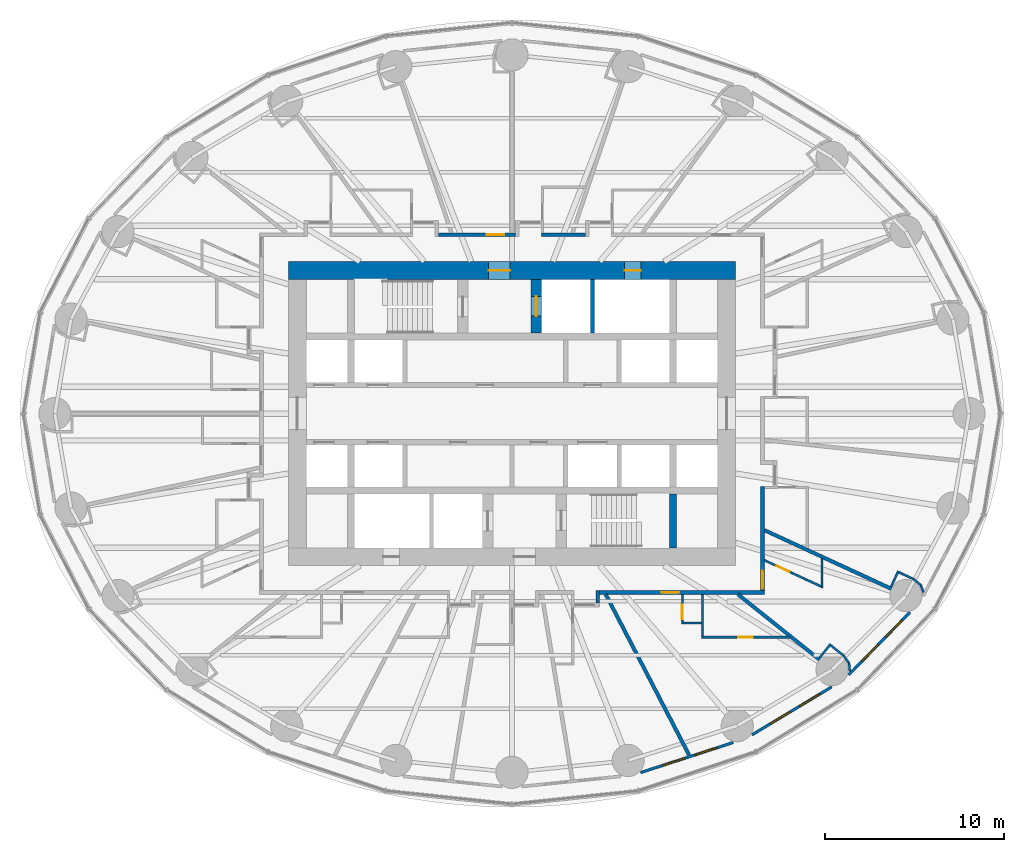
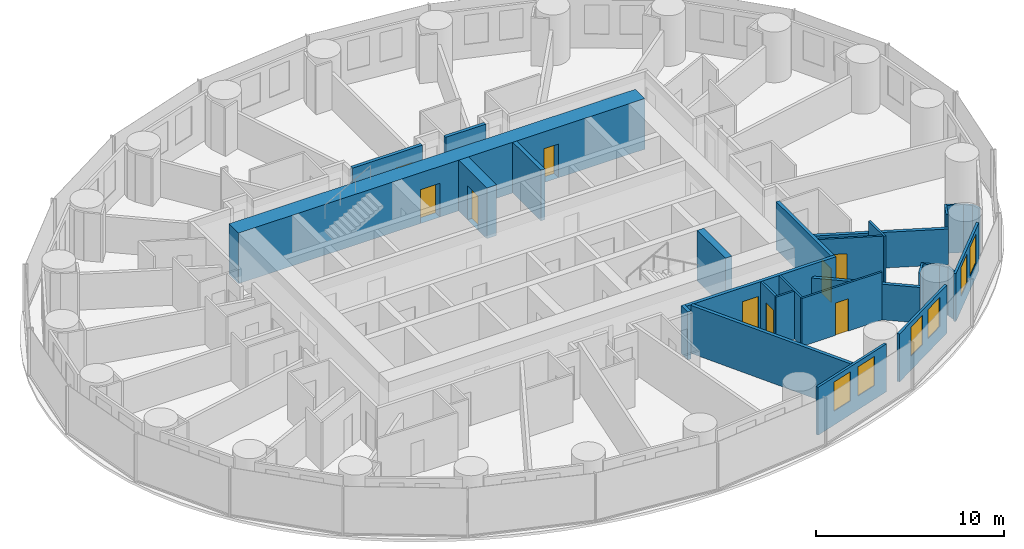
# One storey, part 9 of 14: 29 walls, 9 doors, 6 windows, 15 openings.
"""IFC4 building model written with IfcOpenShell, lengths in metres."""

from ifc_helpers import new_model, si_unit, direction, frame, frame_2d, origin, place, context, subcontext, project, spatial, rectangle, extrude, material, layer, layer_set, type_object, element, fill, save


model = new_model("IFC4")

# Units and contexts
model_context = context("Model", 3, precision=1e-05, world=origin(), true_north=direction((0.0, 1.0)))
body_context = subcontext(model_context, "Body", "Model", "MODEL_VIEW")
ifc_project = project(units=[si_unit("LENGTHUNIT", "METRE"), si_unit("AREAUNIT", "SQUARE_METRE"), si_unit("VOLUMEUNIT", "CUBIC_METRE"), si_unit("PLANEANGLEUNIT", "RADIAN"), si_unit("MASSUNIT", "GRAM", prefix="KILO")], contexts=[model_context])

# Site, building, storey
site_placement = place(None, origin())
site = spatial("IfcSite", under=ifc_project, at=site_placement, CompositionType="ELEMENT")
building_placement = place(site_placement, origin())
building = spatial("IfcBuilding", under=site, at=building_placement, Name="Hankou Lantern Tower", CompositionType="ELEMENT")
storey_placement = place(building_placement, frame((0.0, 0.0, 32.699951171875)))
storey = spatial("IfcBuildingStorey", under=building, at=storey_placement, Name="L06", CompositionType="ELEMENT", Elevation=32.699951171875)

# Wall, openings, doors
ifc_material_1 = material(Name="Concrete C60", Category="concrete")
ifc_layer_1 = layer(ifc_material_1, 1.0)
ifc_layer_set_1 = layer_set([ifc_layer_1], Name="Concrete C60")
wall_type_1 = type_object("IfcWallType", Name="CW1 CORE WALL 1000", PredefinedType="SHEAR", material=ifc_layer_set_1)
wall_1_placement = place(storey_placement, frame((-12.5, 8.0, 0.0), z_axis=(0.0, 0.0, 1.0), x_axis=(1.0, 0.0, 0.0)))
wall_1 = element("IfcWall", 1, at=wall_1_placement, inside=storey, type_object=wall_type_1, Name="Core wall north L06", PredefinedType="SHEAR", context=body_context, shape_type="SweptSolid", body=[
    extrude(rectangle(XDim=25.0, YDim=1.0, at=frame_2d((12.5, 0.0))), origin(), (0.0, 0.0, 1.0), 3.300048828125),
])
opening_1_placement = place(wall_1_placement, frame((11.199951171875, 0.0, 0.0)))
opening_1 = element("IfcOpeningElement", 2, at=opening_1_placement, cuts=wall_1, Name="Opening D5", PredefinedType="OPENING", context=body_context, shape_type="SweptSolid", body=[
    extrude(rectangle(XDim=1.199951171875, YDim=2.199951171875, at=frame_2d((0.60009765625, 1.10009765625))), frame((0.0, 0.510009765625, 0.0), z_axis=(0.0, -1.0, 0.0), x_axis=(1.0, 0.0, 0.0)), (0.0, 0.0, 1.0), 1.02001953125),
])
opening_2_placement = place(wall_1_placement, frame((18.800048828125, 0.0, 0.0)))
opening_2 = element("IfcOpeningElement", 3, at=opening_2_placement, cuts=wall_1, Name="Opening D7", PredefinedType="OPENING", context=body_context, shape_type="SweptSolid", body=[
    extrude(rectangle(XDim=0.89990234375, YDim=2.199951171875, at=frame_2d((0.449951171875, 1.10009765625))), frame((0.0, 0.510009765625, 0.0), z_axis=(0.0, -1.0, 0.0), x_axis=(1.0, 0.0, 0.0)), (0.0, 0.0, 1.0), 1.02001953125),
])
ifc_material_2 = material(Name="Steel door leaf", Category="steel")
door_type_1 = type_object("IfcDoorType", Name="D5 STAIR LOBBY DOOR 1200X2200", OperationType="SINGLE_SWING_LEFT", PredefinedType="DOOR", material=ifc_material_2)
door_1_placement = place(opening_1_placement, origin())
door_1 = element("IfcDoor", 4, at=door_1_placement, inside=storey, type_object=door_type_1, Name="Stair A lobby door", OperationType="SINGLE_SWING_LEFT", OverallHeight=2.199951171875, OverallWidth=1.199951171875, PredefinedType="DOOR", context=body_context, shape_type="SweptSolid", body=[
    extrude(rectangle(XDim=1.199951171875, YDim=2.199951171875, at=frame_2d((0.60009765625, 1.10009765625))), frame((0.0, 0.02490234375, 0.0), z_axis=(0.0, -1.0, 0.0), x_axis=(1.0, 0.0, 0.0)), (0.0, 0.0, 1.0), 0.050048828125),
])
fill(opening_1, door_1)
ifc_material_3 = material(Name="Steel door leaf", Category="steel")
door_type_2 = type_object("IfcDoorType", Name="D7 RISER DOOR 900X2200", OperationType="SINGLE_SWING_LEFT", PredefinedType="DOOR", material=ifc_material_3)
door_2_placement = place(opening_2_placement, origin())
door_2 = element("IfcDoor", 5, at=door_2_placement, inside=storey, type_object=door_type_2, Name="Riser N1 door", OperationType="SINGLE_SWING_RIGHT", OverallHeight=2.199951171875, OverallWidth=0.89990234375, PredefinedType="DOOR", context=body_context, shape_type="SweptSolid", body=[
    extrude(rectangle(XDim=0.89990234375, YDim=2.199951171875, at=frame_2d((0.449951171875, 1.10009765625))), frame((0.0, 0.02490234375, 0.0), z_axis=(0.0, -1.0, 0.0), x_axis=(1.0, 0.0, 0.0)), (0.0, 0.0, 1.0), 0.050048828125),
])
fill(opening_2, door_2)

# Wall
ifc_material_4 = material(Name="Concrete C60", Category="concrete")
ifc_layer_2 = layer(ifc_material_4, 0.39990234375)
ifc_layer_set_2 = layer_set([ifc_layer_2], Name="Concrete C60")
wall_type_2 = type_object("IfcWallType", Name="CW4 CORE CROSS WALL 400", PredefinedType="SHEAR", material=ifc_layer_set_2)
wall_2_placement = place(storey_placement, frame((9.0, -7.5, 0.0), z_axis=(0.0, 0.0, 1.0), x_axis=(0.0, 1.0, 0.0)))
element("IfcWall", 6, at=wall_2_placement, inside=storey, type_object=wall_type_2, Name="Core strip wall L06", PredefinedType="SHEAR", context=body_context, shape_type="SweptSolid", body=[
    extrude(rectangle(XDim=3.0, YDim=0.39990234375, at=frame_2d((1.5, 0.0))), origin(), (0.0, 0.0, 1.0), 3.300048828125),
])

# Wall, opening, door
ifc_material_5 = material(Name="Concrete C60", Category="concrete")
ifc_layer_3 = layer(ifc_material_5, 0.60009765625)
ifc_layer_set_3 = layer_set([ifc_layer_3], Name="Concrete C60")
wall_type_3 = type_object("IfcWallType", Name="CW6 STAIR AND SHAFT WALL 600", PredefinedType="SHEAR", material=ifc_layer_set_3)
wall_3_placement = place(storey_placement, frame((1.35009765625, 4.5, 0.0), z_axis=(0.0, 0.0, 1.0), x_axis=(0.0, 1.0, 0.0)))
wall_3 = element("IfcWall", 7, at=wall_3_placement, inside=storey, type_object=wall_type_3, Name="Firefighting lift shaft wall L06", PredefinedType="SHEAR", context=body_context, shape_type="SweptSolid", body=[
    extrude(rectangle(XDim=3.0, YDim=0.60009765625, at=frame_2d((1.5, 0.0))), origin(), (0.0, 0.0, 1.0), 3.300048828125),
])
opening_3_placement = place(wall_3_placement, frame((0.949951171875, 0.0, 0.0)))
opening_3 = element("IfcOpeningElement", 8, at=opening_3_placement, cuts=wall_3, Name="Opening LD2", PredefinedType="OPENING", context=body_context, shape_type="SweptSolid", body=[
    extrude(rectangle(XDim=1.10009765625, YDim=2.199951171875, at=frame_2d((0.550048828125, 1.10009765625))), frame((0.0, 0.31005859375, 0.0), z_axis=(0.0, -1.0, 0.0), x_axis=(1.0, 0.0, 0.0)), (0.0, 0.0, 1.0), 0.6201171875),
])
ifc_material_6 = material(Name="Steel door leaf", Category="steel")
door_type_3 = type_object("IfcDoorType", Name="LD2 FIREFIGHTING LIFT LANDING DOOR 1100X2200", OperationType="DOUBLE_DOOR_SLIDING", PredefinedType="DOOR", material=ifc_material_6)
door_3_placement = place(opening_3_placement, origin())
door_3 = element("IfcDoor", 9, at=door_3_placement, inside=storey, type_object=door_type_3, Name="Firefighting lift FL1 landing door", OperationType="DOUBLE_DOOR_SLIDING", OverallHeight=2.199951171875, OverallWidth=1.10009765625, PredefinedType="DOOR", context=body_context, shape_type="SweptSolid", body=[
    extrude(rectangle(XDim=1.10009765625, YDim=2.199951171875, at=frame_2d((0.550048828125, 1.10009765625))), frame((0.0, 0.02490234375, 0.0), z_axis=(0.0, -1.0, 0.0), x_axis=(1.0, 0.0, 0.0)), (0.0, 0.0, 1.0), 0.050048828125),
])
fill(opening_3, door_3)

# Wall, openings, windows
ifc_material_7 = material(Name="Aluminium spandrel panel on steel studs", Category="steel")
ifc_layer_4 = layer(ifc_material_7, 0.14990234375)
ifc_layer_set_4 = layer_set([ifc_layer_4], Name="Aluminium spandrel panel on steel studs")
wall_type_4 = type_object("IfcWallType", Name="EW1 INNER SKIN WALL 150", PredefinedType="ELEMENTEDWALL", material=ifc_layer_set_4)
wall_4_placement = place(storey_placement, frame((7.188232421875, -20.06494140625, 0.0), z_axis=(0.0, 0.0, 1.0), x_axis=(0.951138486029, 0.308764603532, 0.0)))
wall_4 = element("IfcWall", 10, at=wall_4_placement, inside=storey, type_object=wall_type_4, Name="Inner skin R20-R21 L06", PredefinedType="ELEMENTEDWALL", context=body_context, shape_type="SweptSolid", body=[
    extrude(rectangle(XDim=5.444091796875, YDim=0.14990234375, at=frame_2d((2.72216796875, 0.0))), origin(), (0.0, 0.0, 1.0), 3.1201171875),
])
opening_4_placement = place(wall_4_placement, frame((1.2841796875, 0.0, 0.89990234375)))
opening_4 = element("IfcOpeningElement", 11, at=opening_4_placement, cuts=wall_4, Name="Opening W9", PredefinedType="OPENING", context=body_context, shape_type="SweptSolid", body=[
    extrude(rectangle(XDim=1.300048828125, YDim=1.89990234375, at=frame_2d((0.64990234375, 0.949951171875))), frame((0.0, 0.0849609375, 0.0), z_axis=(0.0, -1.0, 0.0), x_axis=(1.0, 0.0, 0.0)), (0.0, 0.0, 1.0), 0.169921875),
])
opening_5_placement = place(wall_4_placement, frame((3.18408203125, 0.0, 0.89990234375)))
opening_5 = element("IfcOpeningElement", 12, at=opening_5_placement, cuts=wall_4, Name="Opening W9", PredefinedType="OPENING", context=body_context, shape_type="SweptSolid", body=[
    extrude(rectangle(XDim=1.300048828125, YDim=1.89990234375, at=frame_2d((0.64990234375, 0.949951171875))), frame((0.0, 0.0849609375, 0.0), z_axis=(0.0, -1.0, 0.0), x_axis=(1.0, 0.0, 0.0)), (0.0, 0.0, 1.0), 0.169921875),
])
ifc_material_8 = material(Name="Aluminium framed double glazed window", Category="aluminium")
window_type = type_object("IfcWindowType", Name="W9 GUEST ROOM WINDOW 1300X1900", PartitioningType="DOUBLE_PANEL_VERTICAL", PredefinedType="WINDOW", material=ifc_material_8)
window_1_placement = place(opening_4_placement, origin())
window_1 = element("IfcWindow", 13, at=window_1_placement, inside=storey, type_object=window_type, Name="Window R20.1 L06", OverallHeight=1.89990234375, OverallWidth=1.300048828125, PartitioningType="SINGLE_PANEL", PredefinedType="WINDOW", context=body_context, shape_type="SweptSolid", body=[
    extrude(rectangle(XDim=1.300048828125, YDim=1.89990234375, at=frame_2d((0.64990234375, 0.949951171875))), frame((0.0, 0.030029296875, 0.0), z_axis=(0.0, -1.0, 0.0), x_axis=(1.0, 0.0, 0.0)), (0.0, 0.0, 1.0), 0.06005859375),
])
fill(opening_4, window_1)
window_2_placement = place(opening_5_placement, origin())
window_2 = element("IfcWindow", 14, at=window_2_placement, inside=storey, type_object=window_type, Name="Window R20.2 L06", OverallHeight=1.89990234375, OverallWidth=1.300048828125, PartitioningType="SINGLE_PANEL", PredefinedType="WINDOW", context=body_context, shape_type="SweptSolid", body=[
    extrude(rectangle(XDim=1.300048828125, YDim=1.89990234375, at=frame_2d((0.64990234375, 0.949951171875))), frame((0.0, 0.030029296875, 0.0), z_axis=(0.0, -1.0, 0.0), x_axis=(1.0, 0.0, 0.0)), (0.0, 0.0, 1.0), 0.06005859375),
])
fill(opening_5, window_2)

wall_5_placement = place(storey_placement, frame((13.412109375, -17.957275390625, 0.0), z_axis=(0.0, 0.0, 1.0), x_axis=(0.856958191554, 0.515385931054, 0.0)))
wall_5 = element("IfcWall", 15, at=wall_5_placement, inside=storey, type_object=wall_type_4, Name="Inner skin R21-R22 L06", PredefinedType="ELEMENTEDWALL", context=body_context, shape_type="SweptSolid", body=[
    extrude(rectangle(XDim=5.201171875, YDim=0.14990234375, at=frame_2d((2.6005859375, 0.0))), origin(), (0.0, 0.0, 1.0), 3.1201171875),
])
opening_6_placement = place(wall_5_placement, frame((1.22509765625, 0.0, 0.89990234375)))
opening_6 = element("IfcOpeningElement", 16, at=opening_6_placement, cuts=wall_5, Name="Opening W9", PredefinedType="OPENING", context=body_context, shape_type="SweptSolid", body=[
    extrude(rectangle(XDim=1.300048828125, YDim=1.89990234375, at=frame_2d((0.64990234375, 0.949951171875))), frame((0.0, 0.0849609375, 0.0), z_axis=(0.0, -1.0, 0.0), x_axis=(1.0, 0.0, 0.0)), (0.0, 0.0, 1.0), 0.169921875),
])
opening_7_placement = place(wall_5_placement, frame((3.125, 0.0, 0.89990234375)))
opening_7 = element("IfcOpeningElement", 17, at=opening_7_placement, cuts=wall_5, Name="Opening W9", PredefinedType="OPENING", context=body_context, shape_type="SweptSolid", body=[
    extrude(rectangle(XDim=1.300048828125, YDim=1.89990234375, at=frame_2d((0.64990234375, 0.949951171875))), frame((0.0, 0.0849609375, 0.0), z_axis=(0.0, -1.0, 0.0), x_axis=(1.0, 0.0, 0.0)), (0.0, 0.0, 1.0), 0.169921875),
])
window_3_placement = place(opening_6_placement, origin())
window_3 = element("IfcWindow", 18, at=window_3_placement, inside=storey, type_object=window_type, Name="Window R21.1 L06", OverallHeight=1.89990234375, OverallWidth=1.300048828125, PartitioningType="SINGLE_PANEL", PredefinedType="WINDOW", context=body_context, shape_type="SweptSolid", body=[
    extrude(rectangle(XDim=1.300048828125, YDim=1.89990234375, at=frame_2d((0.64990234375, 0.949951171875))), frame((0.0, 0.030029296875, 0.0), z_axis=(0.0, -1.0, 0.0), x_axis=(1.0, 0.0, 0.0)), (0.0, 0.0, 1.0), 0.06005859375),
])
fill(opening_6, window_3)
window_4_placement = place(opening_7_placement, origin())
window_4 = element("IfcWindow", 19, at=window_4_placement, inside=storey, type_object=window_type, Name="Window R21.2 L06", OverallHeight=1.89990234375, OverallWidth=1.300048828125, PartitioningType="SINGLE_PANEL", PredefinedType="WINDOW", context=body_context, shape_type="SweptSolid", body=[
    extrude(rectangle(XDim=1.300048828125, YDim=1.89990234375, at=frame_2d((0.64990234375, 0.949951171875))), frame((0.0, 0.030029296875, 0.0), z_axis=(0.0, -1.0, 0.0), x_axis=(1.0, 0.0, 0.0)), (0.0, 0.0, 1.0), 0.06005859375),
])
fill(opening_7, window_4)

wall_6_placement = place(storey_placement, frame((18.8134765625, -14.606689453125, 0.0), z_axis=(0.0, 0.0, 1.0), x_axis=(0.699612594083, 0.714522370679, 0.0)))
wall_6 = element("IfcWall", 20, at=wall_6_placement, inside=storey, type_object=wall_type_4, Name="Inner skin R22-R23 L06", PredefinedType="ELEMENTEDWALL", context=body_context, shape_type="SweptSolid", body=[
    extrude(rectangle(XDim=4.89599609375, YDim=0.14990234375, at=frame_2d((2.447998046875, 0.0))), origin(), (0.0, 0.0, 1.0), 3.1201171875),
])
opening_8_placement = place(wall_6_placement, frame((1.076904296875, 0.0, 0.89990234375)))
opening_8 = element("IfcOpeningElement", 21, at=opening_8_placement, cuts=wall_6, Name="Opening W9", PredefinedType="OPENING", context=body_context, shape_type="SweptSolid", body=[
    extrude(rectangle(XDim=1.300048828125, YDim=1.89990234375, at=frame_2d((0.64990234375, 0.949951171875))), frame((0.0, 0.0849609375, 0.0), z_axis=(0.0, -1.0, 0.0), x_axis=(1.0, 0.0, 0.0)), (0.0, 0.0, 1.0), 0.169921875),
])
opening_9_placement = place(wall_6_placement, frame((2.976806640625, 0.0, 0.89990234375)))
opening_9 = element("IfcOpeningElement", 22, at=opening_9_placement, cuts=wall_6, Name="Opening W9", PredefinedType="OPENING", context=body_context, shape_type="SweptSolid", body=[
    extrude(rectangle(XDim=1.300048828125, YDim=1.89990234375, at=frame_2d((0.64990234375, 0.949951171875))), frame((0.0, 0.0849609375, 0.0), z_axis=(0.0, -1.0, 0.0), x_axis=(1.0, 0.0, 0.0)), (0.0, 0.0, 1.0), 0.169921875),
])
window_5_placement = place(opening_8_placement, origin())
window_5 = element("IfcWindow", 23, at=window_5_placement, inside=storey, type_object=window_type, Name="Window R22.1 L06", OverallHeight=1.89990234375, OverallWidth=1.300048828125, PartitioningType="SINGLE_PANEL", PredefinedType="WINDOW", context=body_context, shape_type="SweptSolid", body=[
    extrude(rectangle(XDim=1.300048828125, YDim=1.89990234375, at=frame_2d((0.64990234375, 0.949951171875))), frame((0.0, 0.030029296875, 0.0), z_axis=(0.0, -1.0, 0.0), x_axis=(1.0, 0.0, 0.0)), (0.0, 0.0, 1.0), 0.06005859375),
])
fill(opening_8, window_5)
window_6_placement = place(opening_9_placement, origin())
window_6 = element("IfcWindow", 24, at=window_6_placement, inside=storey, type_object=window_type, Name="Window R22.2 L06", OverallHeight=1.89990234375, OverallWidth=1.300048828125, PartitioningType="SINGLE_PANEL", PredefinedType="WINDOW", context=body_context, shape_type="SweptSolid", body=[
    extrude(rectangle(XDim=1.300048828125, YDim=1.89990234375, at=frame_2d((0.64990234375, 0.949951171875))), frame((0.0, 0.030029296875, 0.0), z_axis=(0.0, -1.0, 0.0), x_axis=(1.0, 0.0, 0.0)), (0.0, 0.0, 1.0), 0.06005859375),
])
fill(opening_9, window_6)

# Walls
ifc_material_9 = material(Name="Masonry lightweight concrete block", Category="masonry")
ifc_layer_5 = layer(ifc_material_9, 0.199951171875)
ifc_layer_set_5 = layer_set([ifc_layer_5], Name="Masonry lightweight concrete block")
wall_type_5 = type_object("IfcWallType", Name="IW1 GUEST ROOM PARTY WALL 200", PredefinedType="PARTITIONING", material=ifc_layer_set_5)
wall_7_placement = place(storey_placement, frame((5.238525390625, -10.10009765625, 0.0), z_axis=(0.0, 0.0, 1.0), x_axis=(0.460422783389, -0.887699758103, 0.0)))
element("IfcWall", 25, at=wall_7_placement, inside=storey, type_object=wall_type_5, Name="Party wall R20-R21", PredefinedType="PARTITIONING", context=body_context, shape_type="SweptSolid", body=[
    extrude(rectangle(XDim=10.120361328125, YDim=0.199951171875, at=frame_2d((5.06005859375, 0.0))), origin(), (0.0, 0.0, 1.0), 3.1201171875),
])
wall_8_placement = place(storey_placement, frame((12.625, -10.10009765625, 0.0), z_axis=(0.0, 0.0, 1.0), x_axis=(0.780872884676, -0.624689953479, 0.0)))
element("IfcWall", 26, at=wall_8_placement, inside=storey, type_object=wall_type_5, Name="Party wall R22", PredefinedType="PARTITIONING", context=body_context, shape_type="SweptSolid", body=[
    extrude(rectangle(XDim=5.8447265625, YDim=0.199951171875, at=frame_2d((2.92236328125, 0.0))), origin(), (0.0, 0.0, 1.0), 2.320068359375),
])
wall_9_placement = place(storey_placement, frame((14.10009765625, -6.512451171875, 0.0), z_axis=(0.0, 0.0, 1.0), x_axis=(0.907842433118, -0.41931147925, 0.0)))
element("IfcWall", 27, at=wall_9_placement, inside=storey, type_object=wall_type_5, Name="Party wall R23", PredefinedType="PARTITIONING", context=body_context, shape_type="SweptSolid", body=[
    extrude(rectangle(XDim=7.822998046875, YDim=0.199951171875, at=frame_2d((3.91162109375, 0.0))), origin(), (0.0, 0.0, 1.0), 2.320068359375),
])
ifc_material_10 = material(Name="Masonry lightweight concrete block", Category="masonry")
ifc_layer_6 = layer(ifc_material_10, 0.199951171875)
ifc_layer_set_6 = layer_set([ifc_layer_6], Name="Masonry lightweight concrete block")
wall_type_6 = type_object("IfcWallType", Name="IW2 CORRIDOR WALL 200", PredefinedType="PARTITIONING", material=ifc_layer_set_6)
wall_10_placement = place(storey_placement, frame((4.794921875, -9.89990234375, 0.0), z_axis=(0.0, 0.0, 1.0), x_axis=(0.0, -1.0, 0.0)))
element("IfcWall", 28, at=wall_10_placement, inside=storey, type_object=wall_type_6, Name="Corridor recess wall 0621 side", PredefinedType="PARTITIONING", context=body_context, shape_type="SweptSolid", body=[
    extrude(rectangle(XDim=0.7001953125, YDim=0.199951171875, at=frame_2d((0.35009765625, 0.0))), origin(), (0.0, 0.0, 1.0), 3.1201171875),
])

# Wall, opening, door
wall_11_placement = place(storey_placement, frame((14.0, -9.89990234375, 0.0), z_axis=(0.0, 0.0, 1.0), x_axis=(0.0, 1.0, 0.0)))
wall_11 = element("IfcWall", 29, at=wall_11_placement, inside=storey, type_object=wall_type_6, Name="Corridor wall east", PredefinedType="PARTITIONING", context=body_context, shape_type="SweptSolid", body=[
    extrude(rectangle(XDim=5.827392578125, YDim=0.199951171875, at=frame_2d((2.91357421875, 0.0))), origin(), (0.0, 0.0, 1.0), 3.1201171875),
])
opening_10_placement = place(wall_11_placement, frame((0.1025390625, 0.0, 0.0)))
opening_10 = element("IfcOpeningElement", 30, at=opening_10_placement, cuts=wall_11, Name="Opening D1", PredefinedType="OPENING", context=body_context, shape_type="SweptSolid", body=[
    extrude(rectangle(XDim=1.0, YDim=2.199951171875, at=frame_2d((0.5, 1.10009765625))), frame((0.0, 0.10986328125, 0.0), z_axis=(0.0, -1.0, 0.0), x_axis=(1.0, 0.0, 0.0)), (0.0, 0.0, 1.0), 0.219970703125),
])
ifc_material_11 = material(Name="Steel door leaf", Category="steel")
door_type_4 = type_object("IfcDoorType", Name="D1 GUEST ROOM DOOR 1000X2200", OperationType="SINGLE_SWING_LEFT", PredefinedType="DOOR", material=ifc_material_11)
door_4_placement = place(opening_10_placement, origin())
door_4 = element("IfcDoor", 31, at=door_4_placement, inside=storey, type_object=door_type_4, Name="Guest room door 0601", OperationType="SINGLE_SWING_LEFT", OverallHeight=2.199951171875, OverallWidth=1.0, PredefinedType="DOOR", context=body_context, shape_type="SweptSolid", body=[
    extrude(rectangle(XDim=1.0, YDim=2.199951171875, at=frame_2d((0.5, 1.10009765625))), frame((0.0, 0.02490234375, 0.0), z_axis=(0.0, -1.0, 0.0), x_axis=(1.0, 0.0, 0.0)), (0.0, 0.0, 1.0), 0.050048828125),
])
fill(opening_10, door_4)

wall_12_placement = place(storey_placement, frame((-4.109130859375, 10.0, 0.0), z_axis=(0.0, 0.0, 1.0), x_axis=(1.0, 0.0, 0.0)))
wall_12 = element("IfcWall", 32, at=wall_12_placement, inside=storey, type_object=wall_type_6, Name="Corridor wall north", PredefinedType="PARTITIONING", context=body_context, shape_type="SweptSolid", body=[
    extrude(rectangle(XDim=4.31201171875, YDim=0.199951171875, at=frame_2d((2.156005859375, 0.0))), origin(), (0.0, 0.0, 1.0), 3.1201171875),
])
opening_11_placement = place(wall_12_placement, frame((2.68896484375, 0.0, 0.0)))
opening_11 = element("IfcOpeningElement", 33, at=opening_11_placement, cuts=wall_12, Name="Opening D28", PredefinedType="OPENING", context=body_context, shape_type="SweptSolid", body=[
    extrude(rectangle(XDim=1.0, YDim=2.199951171875, at=frame_2d((0.5, 1.10009765625))), frame((0.0, 0.10986328125, 0.0), z_axis=(0.0, -1.0, 0.0), x_axis=(1.0, 0.0, 0.0)), (0.0, 0.0, 1.0), 0.219970703125),
])
ifc_material_12 = material(Name="Steel door leaf", Category="steel")
door_type_5 = type_object("IfcDoorType", Name="D28 SERVICE DOOR 1000X2200", OperationType="SINGLE_SWING_LEFT", PredefinedType="DOOR", material=ifc_material_12)
door_5_placement = place(opening_11_placement, origin())
door_5 = element("IfcDoor", 34, at=door_5_placement, inside=storey, type_object=door_type_5, Name="Service door 0609", OperationType="SINGLE_SWING_RIGHT", OverallHeight=2.199951171875, OverallWidth=1.0, PredefinedType="DOOR", context=body_context, shape_type="SweptSolid", body=[
    extrude(rectangle(XDim=1.0, YDim=2.199951171875, at=frame_2d((0.5, 1.10009765625))), frame((0.0, 0.02490234375, 0.0), z_axis=(0.0, -1.0, 0.0), x_axis=(1.0, 0.0, 0.0)), (0.0, 0.0, 1.0), 0.050048828125),
])
fill(opening_11, door_5)

# Wall
wall_13_placement = place(storey_placement, frame((1.642822265625, 10.0, 0.0), z_axis=(0.0, 0.0, 1.0), x_axis=(1.0, 0.0, 0.0)))
element("IfcWall", 35, at=wall_13_placement, inside=storey, type_object=wall_type_6, Name="Corridor wall north", PredefinedType="PARTITIONING", context=body_context, shape_type="SweptSolid", body=[
    extrude(rectangle(XDim=2.46630859375, YDim=0.199951171875, at=frame_2d((1.233154296875, 0.0))), origin(), (0.0, 0.0, 1.0), 3.1201171875),
])

# Wall, opening, door
wall_14_placement = place(storey_placement, frame((14.10009765625, -10.0, 0.0), z_axis=(0.0, 0.0, 1.0), x_axis=(-1.0, 0.0, 0.0)))
wall_14 = element("IfcWall", 36, at=wall_14_placement, inside=storey, type_object=wall_type_6, Name="Corridor wall south", PredefinedType="PARTITIONING", context=body_context, shape_type="SweptSolid", body=[
    extrude(rectangle(XDim=9.205078125, YDim=0.199951171875, at=frame_2d((4.6025390625, 0.0))), origin(), (0.0, 0.0, 1.0), 3.1201171875),
])
opening_12_placement = place(wall_14_placement, frame((4.7548828125, 0.0, 0.0)))
opening_12 = element("IfcOpeningElement", 37, at=opening_12_placement, cuts=wall_14, Name="Opening D1", PredefinedType="OPENING", context=body_context, shape_type="SweptSolid", body=[
    extrude(rectangle(XDim=1.0, YDim=2.199951171875, at=frame_2d((0.5, 1.10009765625))), frame((0.0, 0.10986328125, 0.0), z_axis=(0.0, -1.0, 0.0), x_axis=(1.0, 0.0, 0.0)), (0.0, 0.0, 1.0), 0.219970703125),
])
door_6_placement = place(opening_12_placement, origin())
door_6 = element("IfcDoor", 38, at=door_6_placement, inside=storey, type_object=door_type_4, Name="Guest room door 0622", OperationType="SINGLE_SWING_LEFT", OverallHeight=2.199951171875, OverallWidth=1.0, PredefinedType="DOOR", context=body_context, shape_type="SweptSolid", body=[
    extrude(rectangle(XDim=1.0, YDim=2.199951171875, at=frame_2d((0.5, 1.10009765625))), frame((0.0, 0.02490234375, 0.0), z_axis=(0.0, -1.0, 0.0), x_axis=(1.0, 0.0, 0.0)), (0.0, 0.0, 1.0), 0.050048828125),
])
fill(opening_12, door_6)

# Wall
ifc_material_13 = material(Name="Masonry lightweight concrete block", Category="masonry")
ifc_layer_7 = layer(ifc_material_13, 0.1201171875)
ifc_layer_set_7 = layer_set([ifc_layer_7], Name="Masonry lightweight concrete block")
wall_type_7 = type_object("IfcWallType", Name="IW3 BATHROOM WALL 120", PredefinedType="PARTITIONING", material=ifc_layer_set_7)
wall_15_placement = place(storey_placement, frame((17.32275390625, -8.10107421875, 0.0), z_axis=(0.0, 0.0, 1.0), x_axis=(0.0, -1.0, 0.0)))
element("IfcWall", 39, at=wall_15_placement, inside=storey, type_object=wall_type_7, Name="Box wall 0601 1", PredefinedType="PARTITIONING", context=body_context, shape_type="SweptSolid", body=[
    extrude(rectangle(XDim=1.639892578125, YDim=0.1201171875, at=frame_2d((0.81982421875, 0.0))), origin(), (0.0, 0.0, 1.0), 3.1201171875),
])

# Wall, opening, door
wall_16_placement = place(storey_placement, frame((14.10009765625, -8.192626953125, 0.0), z_axis=(0.0, 0.0, 1.0), x_axis=(0.907836493557, -0.419324338628, 0.0)))
wall_16 = element("IfcWall", 40, at=wall_16_placement, inside=storey, type_object=wall_type_7, Name="Box wall 0601 1", PredefinedType="PARTITIONING", context=body_context, shape_type="SweptSolid", body=[
    extrude(rectangle(XDim=3.48974609375, YDim=0.1201171875, at=frame_2d((1.744873046875, 0.0))), origin(), (0.0, 0.0, 1.0), 3.1201171875),
])
opening_13_placement = place(wall_16_placement, frame((0.75, 0.0, 0.0)))
opening_13 = element("IfcOpeningElement", 41, at=opening_13_placement, cuts=wall_16, Name="Opening D3", PredefinedType="OPENING", context=body_context, shape_type="SweptSolid", body=[
    extrude(rectangle(XDim=0.800048828125, YDim=2.10009765625, at=frame_2d((0.39990234375, 1.050048828125))), frame((0.0, 0.070068359375, 0.0), z_axis=(0.0, -1.0, 0.0), x_axis=(1.0, 0.0, 0.0)), (0.0, 0.0, 1.0), 0.14013671875),
])
ifc_material_14 = material(Name="Timber door leaf", Category="wood")
door_type_6 = type_object("IfcDoorType", Name="D3 BATHROOM DOOR 800X2100", OperationType="SINGLE_SWING_LEFT", PredefinedType="DOOR", material=ifc_material_14)
door_7_placement = place(opening_13_placement, origin())
door_7 = element("IfcDoor", 42, at=door_7_placement, inside=storey, type_object=door_type_6, Name="En-suite bathroom 0601 door", OperationType="SINGLE_SWING_LEFT", OverallHeight=2.10009765625, OverallWidth=0.800048828125, PredefinedType="DOOR", context=body_context, shape_type="SweptSolid", body=[
    extrude(rectangle(XDim=0.800048828125, YDim=2.10009765625, at=frame_2d((0.39990234375, 1.050048828125))), frame((0.0, 0.02490234375, 0.0), z_axis=(0.0, -1.0, 0.0), x_axis=(1.0, 0.0, 0.0)), (0.0, 0.0, 1.0), 0.050048828125),
])
fill(opening_13, door_7)

wall_17_placement = place(storey_placement, frame((15.52490234375, -12.5, 0.0), z_axis=(0.0, 0.0, 1.0), x_axis=(-1.0, 0.0, 0.0)))
wall_17 = element("IfcWall", 43, at=wall_17_placement, inside=storey, type_object=wall_type_7, Name="Box wall 0622 1", PredefinedType="PARTITIONING", context=body_context, shape_type="SweptSolid", body=[
    extrude(rectangle(XDim=4.93994140625, YDim=0.1201171875, at=frame_2d((2.469970703125, 0.0))), origin(), (0.0, 0.0, 1.0), 3.1201171875),
])
opening_14_placement = place(wall_17_placement, frame((2.070068359375, 0.0, 0.0)))
opening_14 = element("IfcOpeningElement", 44, at=opening_14_placement, cuts=wall_17, Name="Opening D3", PredefinedType="OPENING", context=body_context, shape_type="SweptSolid", body=[
    extrude(rectangle(XDim=0.800048828125, YDim=2.10009765625, at=frame_2d((0.39990234375, 1.050048828125))), frame((0.0, 0.070068359375, 0.0), z_axis=(0.0, -1.0, 0.0), x_axis=(1.0, 0.0, 0.0)), (0.0, 0.0, 1.0), 0.14013671875),
])
door_8_placement = place(opening_14_placement, origin())
door_8 = element("IfcDoor", 45, at=door_8_placement, inside=storey, type_object=door_type_6, Name="En-suite bathroom 0622 door", OperationType="SINGLE_SWING_RIGHT", OverallHeight=2.10009765625, OverallWidth=0.800048828125, PredefinedType="DOOR", context=body_context, shape_type="SweptSolid", body=[
    extrude(rectangle(XDim=0.800048828125, YDim=2.10009765625, at=frame_2d((0.39990234375, 1.050048828125))), frame((0.0, 0.02490234375, 0.0), z_axis=(0.0, -1.0, 0.0), x_axis=(1.0, 0.0, 0.0)), (0.0, 0.0, 1.0), 0.050048828125),
])
fill(opening_14, door_8)

# Walls
wall_18_placement = place(storey_placement, frame((10.64501953125, -10.10009765625, 0.0), z_axis=(0.0, 0.0, 1.0), x_axis=(0.0, -1.0, 0.0)))
element("IfcWall", 46, at=wall_18_placement, inside=storey, type_object=wall_type_7, Name="Box wall 0622 1", PredefinedType="PARTITIONING", context=body_context, shape_type="SweptSolid", body=[
    extrude(rectangle(XDim=2.33984375, YDim=0.1201171875, at=frame_2d((1.169921875, 0.0))), origin(), (0.0, 0.0, 1.0), 3.1201171875),
])
wall_19_placement = place(storey_placement, frame((10.5849609375, -11.699951171875, 0.0), z_axis=(0.0, 0.0, 1.0), x_axis=(-1.0, 0.0, 0.0)))
element("IfcWall", 47, at=wall_19_placement, inside=storey, type_object=wall_type_7, Name="Box wall 0622 2", PredefinedType="PARTITIONING", context=body_context, shape_type="SweptSolid", body=[
    extrude(rectangle(XDim=1.119873046875, YDim=0.1201171875, at=frame_2d((0.56005859375, 0.0))), origin(), (0.0, 0.0, 1.0), 3.1201171875),
])

# Wall, opening, door
wall_20_placement = place(storey_placement, frame((9.52490234375, -10.10009765625, 0.0), z_axis=(0.0, 0.0, 1.0), x_axis=(0.0, -1.0, 0.0)))
wall_20 = element("IfcWall", 48, at=wall_20_placement, inside=storey, type_object=wall_type_7, Name="Box wall 0622 2", PredefinedType="PARTITIONING", context=body_context, shape_type="SweptSolid", body=[
    extrude(rectangle(XDim=1.539794921875, YDim=0.1201171875, at=frame_2d((0.77001953125, 0.0))), origin(), (0.0, 0.0, 1.0), 3.1201171875),
])
opening_15_placement = place(wall_20_placement, frame((0.590087890625, 0.0, 0.0)))
opening_15 = element("IfcOpeningElement", 49, at=opening_15_placement, cuts=wall_20, Name="Opening D3", PredefinedType="OPENING", context=body_context, shape_type="SweptSolid", body=[
    extrude(rectangle(XDim=0.800048828125, YDim=2.10009765625, at=frame_2d((0.39990234375, 1.050048828125))), frame((0.0, 0.070068359375, 0.0), z_axis=(0.0, -1.0, 0.0), x_axis=(1.0, 0.0, 0.0)), (0.0, 0.0, 1.0), 0.14013671875),
])
door_9_placement = place(opening_15_placement, origin())
door_9 = element("IfcDoor", 50, at=door_9_placement, inside=storey, type_object=door_type_6, Name="En-suite WC 0622 door", OperationType="SINGLE_SWING_RIGHT", OverallHeight=2.10009765625, OverallWidth=0.800048828125, PredefinedType="DOOR", context=body_context, shape_type="SweptSolid", body=[
    extrude(rectangle(XDim=0.800048828125, YDim=2.10009765625, at=frame_2d((0.39990234375, 1.050048828125))), frame((0.0, 0.02490234375, 0.0), z_axis=(0.0, -1.0, 0.0), x_axis=(1.0, 0.0, 0.0)), (0.0, 0.0, 1.0), 0.050048828125),
])
fill(opening_15, door_9)

# Walls
ifc_material_15 = material(Name="Masonry lightweight concrete block", Category="masonry")
ifc_layer_8 = layer(ifc_material_15, 0.1201171875)
ifc_layer_set_8 = layer_set([ifc_layer_8], Name="Masonry lightweight concrete block")
wall_type_8 = type_object("IfcWallType", Name="IW4 PARTITION 120", PredefinedType="PARTITIONING", material=ifc_layer_set_8)
wall_21_placement = place(storey_placement, frame((17.20458984375, -13.635498046875, 0.0), z_axis=(0.0, 0.0, 1.0), x_axis=(0.624756144097, 0.780819928289, 0.0)))
element("IfcWall", 51, at=wall_21_placement, inside=storey, type_object=wall_type_8, Name="Column casing R22 return", PredefinedType="PARTITIONING", context=body_context, shape_type="SweptSolid", body=[
    extrude(rectangle(XDim=0.974609375, YDim=0.1201171875, at=frame_2d((0.4873046875, 0.0))), origin(), (0.0, 0.0, 1.0), 3.1201171875),
])
wall_22_placement = place(storey_placement, frame((17.82275390625, -12.958984375, 0.0), z_axis=(0.0, 0.0, 1.0), x_axis=(0.780895271023, -0.624661969144, 0.0)))
element("IfcWall", 52, at=wall_22_placement, inside=storey, type_object=wall_type_8, Name="Column casing R22", PredefinedType="PARTITIONING", context=body_context, shape_type="SweptSolid", body=[
    extrude(rectangle(XDim=0.900146484375, YDim=0.1201171875, at=frame_2d((0.4501953125, 0.0))), origin(), (0.0, 0.0, 1.0), 3.1201171875),
])
wall_23_placement = place(storey_placement, frame((18.525634765625, -13.521240234375, 0.0), z_axis=(0.0, 0.0, 1.0), x_axis=(0.592532503205, -0.805546542818, 0.0)))
element("IfcWall", 53, at=wall_23_placement, inside=storey, type_object=wall_type_8, Name="Column casing R22", PredefinedType="PARTITIONING", context=body_context, shape_type="SweptSolid", body=[
    extrude(rectangle(XDim=0.52490234375, YDim=0.1201171875, at=frame_2d((0.262451171875, 0.0))), origin(), (0.0, 0.0, 1.0), 3.1201171875),
])
wall_24_placement = place(storey_placement, frame((18.836669921875, -13.944091796875, 0.0), z_axis=(0.0, 0.0, 1.0), x_axis=(0.110543348478, -0.993871303594, 0.0)))
element("IfcWall", 54, at=wall_24_placement, inside=storey, type_object=wall_type_8, Name="Column casing R22", PredefinedType="PARTITIONING", context=body_context, shape_type="SweptSolid", body=[
    extrude(rectangle(XDim=0.479248046875, YDim=0.1201171875, at=frame_2d((0.23974609375, 0.0))), origin(), (0.0, 0.0, 1.0), 3.1201171875),
])
wall_25_placement = place(storey_placement, frame((21.189453125, -9.6767578125, 0.0), z_axis=(0.0, 0.0, 1.0), x_axis=(0.419344098106, 0.907827366509, 0.0)))
element("IfcWall", 55, at=wall_25_placement, inside=storey, type_object=wall_type_8, Name="Column casing R23 return", PredefinedType="PARTITIONING", context=body_context, shape_type="SweptSolid", body=[
    extrude(rectangle(XDim=0.974609375, YDim=0.1201171875, at=frame_2d((0.4873046875, 0.0))), origin(), (0.0, 0.0, 1.0), 3.1201171875),
])
wall_26_placement = place(storey_placement, frame((21.62744140625, -8.871826171875, 0.0), z_axis=(0.0, 0.0, 1.0), x_axis=(0.907935564339, -0.419109783957, 0.0)))
element("IfcWall", 56, at=wall_26_placement, inside=storey, type_object=wall_type_8, Name="Column casing R23", PredefinedType="PARTITIONING", context=body_context, shape_type="SweptSolid", body=[
    extrude(rectangle(XDim=0.89990234375, YDim=0.1201171875, at=frame_2d((0.449951171875, 0.0))), origin(), (0.0, 0.0, 1.0), 3.1201171875),
])
wall_27_placement = place(storey_placement, frame((22.444580078125, -9.2490234375, 0.0), z_axis=(0.0, 0.0, 1.0), x_axis=(0.768335565584, -0.640047231584, 0.0)))
element("IfcWall", 57, at=wall_27_placement, inside=storey, type_object=wall_type_8, Name="Column casing R23", PredefinedType="PARTITIONING", context=body_context, shape_type="SweptSolid", body=[
    extrude(rectangle(XDim=0.525146484375, YDim=0.1201171875, at=frame_2d((0.2626953125, 0.0))), origin(), (0.0, 0.0, 1.0), 3.1201171875),
])
wall_28_placement = place(storey_placement, frame((22.84814453125, -9.585205078125, 0.0), z_axis=(0.0, 0.0, 1.0), x_axis=(0.345267312673, -0.938504386138, 0.0)))
element("IfcWall", 58, at=wall_28_placement, inside=storey, type_object=wall_type_8, Name="Column casing R23", PredefinedType="PARTITIONING", context=body_context, shape_type="SweptSolid", body=[
    extrude(rectangle(XDim=0.439208984375, YDim=0.1201171875, at=frame_2d((0.2197265625, 0.0))), origin(), (0.0, 0.0, 1.0), 3.1201171875),
])
ifc_material_16 = material(Name="Masonry autoclaved aerated concrete block", Category="masonry")
ifc_layer_9 = layer(ifc_material_16, 0.25)
ifc_layer_set_9 = layer_set([ifc_layer_9], Name="Masonry autoclaved aerated concrete block")
wall_type_9 = type_object("IfcWallType", Name="SW1 SHAFT BLOCK WALL 250", PredefinedType="PARTITIONING", material=ifc_layer_set_9)
wall_29_placement = place(storey_placement, frame((4.5, 4.5, 0.0), z_axis=(0.0, 0.0, 1.0), x_axis=(0.0, 1.0, 0.0)))
element("IfcWall", 59, at=wall_29_placement, inside=storey, type_object=wall_type_9, Name="Riser wall L06", PredefinedType="PARTITIONING", context=body_context, shape_type="SweptSolid", body=[
    extrude(rectangle(XDim=3.0, YDim=0.25, at=frame_2d((1.5, 0.0))), origin(), (0.0, 0.0, 1.0), 3.300048828125),
])

save(model, "model.ifc")
